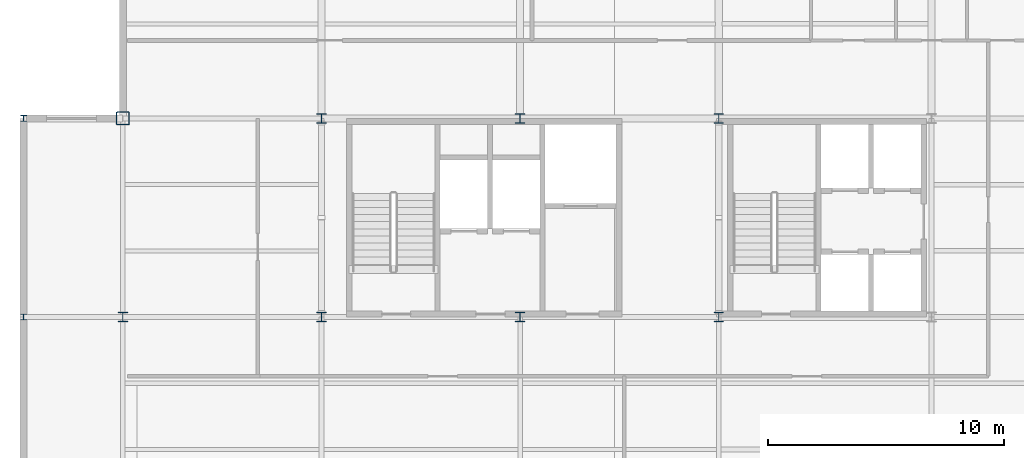
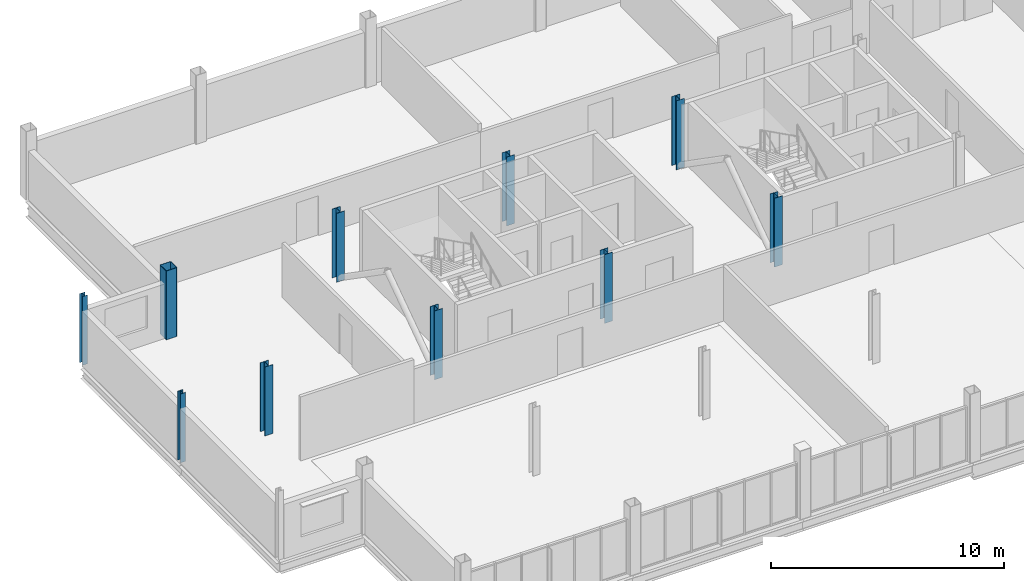
# One storey, part 2 of 18: 10 columns.
"""IFC4 building model written with IfcOpenShell, lengths in metres."""

from ifc_helpers import new_model, si_unit, direction, frame, origin, origin_2d, place, context, subcontext, project, spatial, hollow_rectangle, i_section, extrude, material, material_profile, profile_set, type_object, element, save


model = new_model("IFC4")

# Units and contexts
model_context = context("Model", 3, precision=1e-05, world=origin(), true_north=direction((0.0, 1.0)))
body_context = subcontext(model_context, "Body", "Model", "MODEL_VIEW")
ifc_project = project(units=[si_unit("LENGTHUNIT", "METRE"), si_unit("AREAUNIT", "SQUARE_METRE"), si_unit("VOLUMEUNIT", "CUBIC_METRE"), si_unit("PLANEANGLEUNIT", "RADIAN"), si_unit("MASSUNIT", "GRAM", prefix="KILO")], contexts=[model_context])

# Site, building, storey
site_placement = place(None, origin())
site = spatial("IfcSite", under=ifc_project, at=site_placement, CompositionType="ELEMENT")
building_placement = place(site_placement, origin())
building = spatial("IfcBuilding", under=site, at=building_placement, Name="Yukiwa Park Conservatory and Herbarium", CompositionType="ELEMENT")
storey_placement = place(building_placement, frame((0.0, 0.0, 24.60009765625)))
storey = spatial("IfcBuildingStorey", under=building, at=storey_placement, Name="L06", CompositionType="ELEMENT", Elevation=24.60009765625)

# Columns
ifc_material_1 = material(Name="Steel Q355D", Category="steel")
ifc_material_profile_1 = material_profile(ifc_material_1, i_section(OverallWidth=0.25, OverallDepth=0.25, WebThickness=0.009033203125, FlangeThickness=0.013916015625, FilletRadius=0.01611328125, at=origin_2d()), Name="HW 250x250x9x14")
ifc_profile_set_1 = profile_set([ifc_material_profile_1], Name="Steel Q355D")
column_type_1 = type_object("IfcColumnType", Name="COL-SB-HW250", PredefinedType="COLUMN", material=ifc_profile_set_1)
for number, where, z_axis, x_axis, name in (
    (1, (120.60009765625, 94.800048828125, 0.0), (0.0, 0.0, 1.0), (1.0, 0.0, 0.0), "L06 column V5SB1-X1206-Y948"),
    (2, (120.60009765625, 103.199951171875, 0.0), (0.0, 0.0, 1.0), (1.0, 0.0, 0.0), "L06 column V5SB1-X1206-Y1032"),
):
    element("IfcColumn", number, at=place(storey_placement, frame(where, z_axis=z_axis, x_axis=x_axis)), inside=storey, type_object=column_type_1, Name=name, PredefinedType="COLUMN", context=body_context, shape_type="SweptSolid", body=[
        extrude(i_section(OverallWidth=0.25, OverallDepth=0.25, WebThickness=0.009033203125, FlangeThickness=0.013916015625, FilletRadius=0.01611328125, at=origin_2d()), origin(), (0.0, 0.0, 1.0), 3.599853515625),
    ])
ifc_material_2 = material(Name="Steel Q355D", Category="steel")
ifc_material_profile_2 = material_profile(ifc_material_2, hollow_rectangle(XDim=0.550048828125, YDim=0.550048828125, WallThickness=0.02197265625, InnerFilletRadius=0.02197265625, OuterFilletRadius=0.0439453125, at=origin_2d()), Name="BOX 550x550x22")
ifc_profile_set_2 = profile_set([ifc_material_profile_2], Name="Steel Q355D")
column_type_2 = type_object("IfcColumnType", Name="COL-TW-BOX550-EXT", PredefinedType="COLUMN", material=ifc_profile_set_2)
column_placement = place(storey_placement, frame((124.800048828125, 103.199951171875, 0.0), z_axis=(0.0, 0.0, 1.0), x_axis=(1.0, 0.0, 0.0)))
element("IfcColumn", 3, at=column_placement, inside=storey, type_object=column_type_2, Name="L06 column V5-X1248-Y1032", PredefinedType="COLUMN", context=body_context, shape_type="SweptSolid", body=[
    extrude(hollow_rectangle(XDim=0.550048828125, YDim=0.550048828125, WallThickness=0.02197265625, InnerFilletRadius=0.02197265625, OuterFilletRadius=0.0439453125, at=origin_2d()), origin(), (0.0, 0.0, 1.0), 3.599853515625),
])
ifc_material_3 = material(Name="Steel Q355D", Category="steel")
ifc_material_profile_3 = material_profile(ifc_material_3, i_section(OverallWidth=0.39794921875, OverallDepth=0.39404296875, WebThickness=0.010986328125, FlangeThickness=0.01806640625, FilletRadius=0.02197265625, at=origin_2d()), Name="HW 394x398x11x18")
ifc_profile_set_3 = profile_set([ifc_material_profile_3], Name="Steel Q355D")
column_type_3 = type_object("IfcColumnType", Name="COL-TW-HW394", PredefinedType="COLUMN", material=ifc_profile_set_3)
for number, where, z_axis, x_axis, name in (
    (4, (124.800048828125, 94.800048828125, 0.0), (0.0, 0.0, 1.0), (1.0, 0.0, 0.0), "L06 column V5-X1248-Y948"),
    (5, (133.199951171875, 94.800048828125, 0.0), (0.0, 0.0, 1.0), (1.0, 0.0, 0.0), "L06 column V5-X1332-Y948"),
    (6, (133.199951171875, 103.199951171875, 0.0), (0.0, 0.0, 1.0), (1.0, 0.0, 0.0), "L06 column V5-X1332-Y1032"),
    (7, (141.60009765625, 94.800048828125, 0.0), (0.0, 0.0, 1.0), (1.0, 0.0, 0.0), "L06 column V5-X1416-Y948"),
    (8, (141.60009765625, 103.199951171875, 0.0), (0.0, 0.0, 1.0), (1.0, 0.0, 0.0), "L06 column V5-X1416-Y1032"),
    (9, (150.0, 94.800048828125, 0.0), (0.0, 0.0, 1.0), (1.0, 0.0, 0.0), "L06 column V5-X1500-Y948"),
    (10, (150.0, 103.199951171875, 0.0), (0.0, 0.0, 1.0), (1.0, 0.0, 0.0), "L06 column V5-X1500-Y1032"),
):
    element("IfcColumn", number, at=place(storey_placement, frame(where, z_axis=z_axis, x_axis=x_axis)), inside=storey, type_object=column_type_3, Name=name, PredefinedType="COLUMN", context=body_context, shape_type="SweptSolid", body=[
        extrude(i_section(OverallWidth=0.39794921875, OverallDepth=0.39404296875, WebThickness=0.010986328125, FlangeThickness=0.01806640625, FilletRadius=0.02197265625, at=origin_2d()), origin(), (0.0, 0.0, 1.0), 3.599853515625),
    ])

save(model, "model.ifc")
